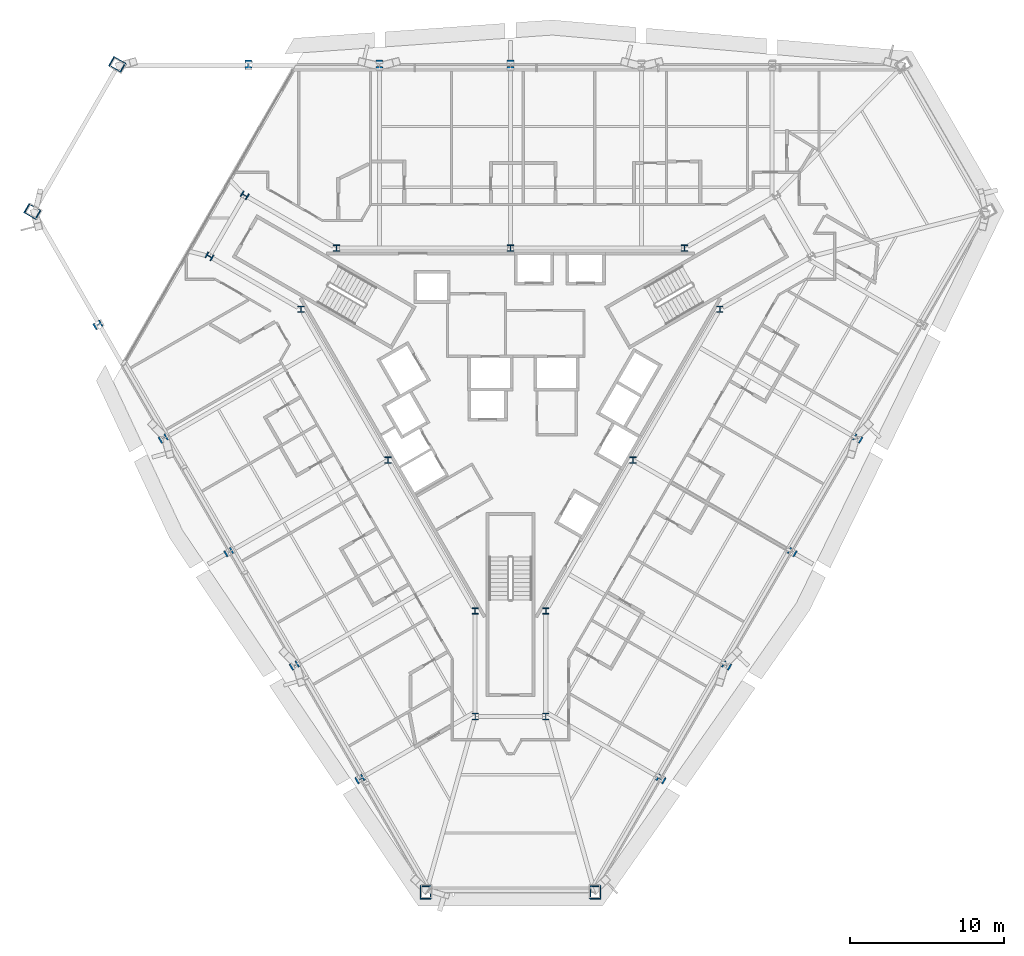
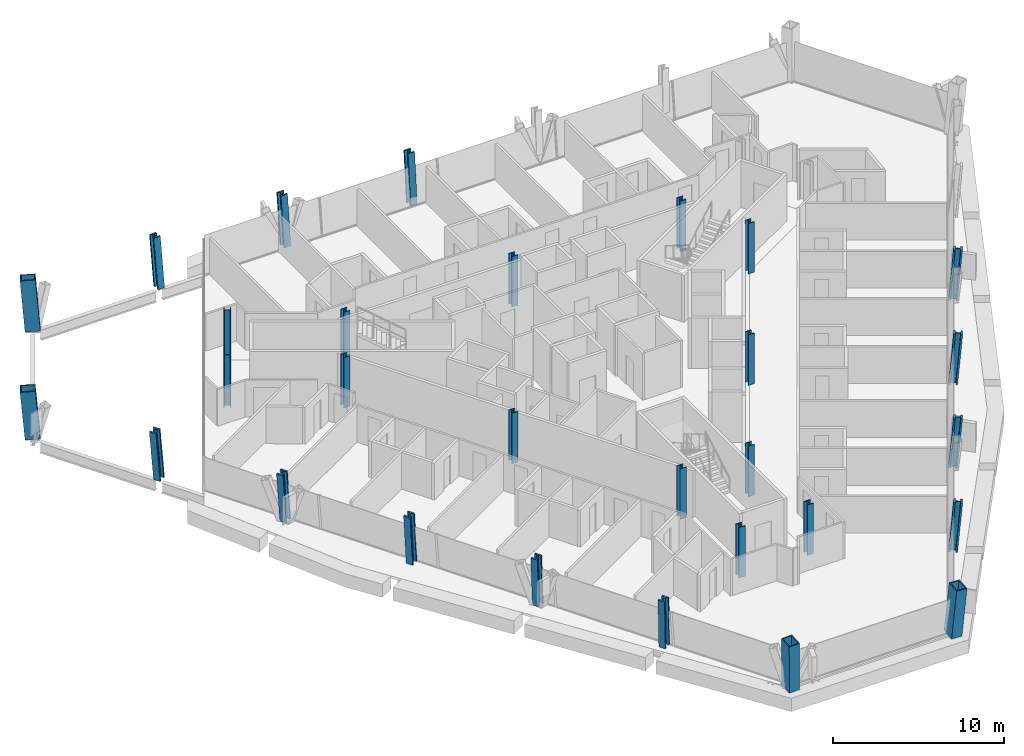
# One storey, part 1 of 17: 29 columns.
"""IFC4 building model written with IfcOpenShell, lengths in metres."""

from ifc_helpers import new_model, si_unit, direction, frame, origin, origin_2d, place, context, subcontext, project, spatial, hollow_rectangle, i_section, extrude, material, material_profile, profile_set, type_object, element, save


model = new_model("IFC4")

# Units and contexts
model_context = context("Model", 3, precision=1e-05, world=origin(), true_north=direction((0.0, 1.0)))
body_context = subcontext(model_context, "Body", "Model", "MODEL_VIEW")
ifc_project = project(units=[si_unit("LENGTHUNIT", "METRE"), si_unit("AREAUNIT", "SQUARE_METRE"), si_unit("VOLUMEUNIT", "CUBIC_METRE"), si_unit("PLANEANGLEUNIT", "RADIAN"), si_unit("MASSUNIT", "GRAM", prefix="KILO")], contexts=[model_context])

# Site, building, storey
site_placement = place(None, origin())
site = spatial("IfcSite", under=ifc_project, at=site_placement, CompositionType="ELEMENT")
building_placement = place(site_placement, origin())
building = spatial("IfcBuilding", under=site, at=building_placement, Name="Verrane Prism Tower", CompositionType="ELEMENT")
storey_placement = place(building_placement, frame((0.0, 0.0, 62.0)))
storey = spatial("IfcBuildingStorey", under=building, at=storey_placement, Name="L13", CompositionType="ELEMENT", Elevation=62.0)

# Columns
ifc_material_1 = material(Name="Steel A992", Category="steel")
ifc_material_profile_1 = material_profile(ifc_material_1, i_section(OverallWidth=0.419189453125, OverallDepth=0.45458984375, WebThickness=0.042236328125, FlangeThickness=0.067626953125, FilletRadius=0.01513671875, at=origin_2d()), Name="W14x370")
ifc_profile_set_1 = profile_set([ifc_material_profile_1], Name="Steel A992")
column_type_1 = type_object("IfcColumnType", Name="Core corner column W14x370", PredefinedType="COLUMN", material=ifc_profile_set_1)
for number, where, z_axis, x_axis, name in (
    (1, (-17.300048828125, 12.639892578125, 0.0), (0.0, 0.0, 1.0), (0.5, 0.866025403784, 0.0), "Core corner column CK-NWm L13"),
    (2, (-19.60009765625, 8.659912109375, 0.0), (0.0, 0.0, 1.0), (0.5, 0.866025403784, 0.0), "Core corner column CK-NWp L13"),
    (3, (-2.300048828125, -21.300048828125, 0.0), (0.0, 0.0, 1.0), (-1.0, 0.0, 0.0), "Core corner column CK-Sm L13"),
    (4, (2.300048828125, -21.300048828125, 0.0), (0.0, 0.0, 1.0), (-1.0, 0.0, 0.0), "Core corner column CK-Sp L13"),
):
    element("IfcColumn", number, at=place(storey_placement, frame(where, z_axis=z_axis, x_axis=x_axis)), inside=storey, type_object=column_type_1, Name=name, PredefinedType="COLUMN", context=body_context, shape_type="SweptSolid", body=[
        extrude(i_section(OverallWidth=0.419189453125, OverallDepth=0.45458984375, WebThickness=0.042236328125, FlangeThickness=0.067626953125, FilletRadius=0.01513671875, at=origin_2d()), origin(), (0.0, 0.0, 1.0), 3.60009765625),
    ])
ifc_material_2 = material(Name="Steel A992", Category="steel")
ifc_material_profile_2 = material_profile(ifc_material_2, i_section(OverallWidth=0.406494140625, OverallDepth=0.41650390625, WebThickness=0.030029296875, FlangeThickness=0.048095703125, FilletRadius=0.01513671875, at=origin_2d()), Name="W14x257")
ifc_profile_set_2 = profile_set([ifc_material_profile_2], Name="Steel A992")
column_type_2 = type_object("IfcColumnType", Name="Core side column W14x257", PredefinedType="COLUMN", material=ifc_profile_set_2)
for number, where, z_axis, x_axis, name in (
    (5, (13.6298828125, 5.219970703125, 0.0), (0.0, 0.0, 1.0), (1.0, 0.0, 0.0), "Core side column CC-NEm L13"),
    (6, (11.330078125, 9.199951171875, 0.0), (0.0, 0.0, 1.0), (1.0, 0.0, 0.0), "Core side column CC-NEp L13"),
    (7, (0.0, 9.199951171875, 0.0), (0.0, 0.0, 1.0), (1.0, 0.0, 0.0), "Core side column CC-N0 L13"),
    (8, (-11.330078125, 9.199951171875, 0.0), (0.0, 0.0, 1.0), (1.0, 0.0, 0.0), "Core side column CC-NWm L13"),
    (9, (-13.6298828125, 5.219970703125, 0.0), (0.0, 0.0, 1.0), (1.0, 0.0, 0.0), "Core side column CC-NWp L13"),
    (10, (-7.969970703125, -4.60009765625, 0.0), (0.0, 0.0, 1.0), (1.0, 0.0, 0.0), "Core side column CC-SW0 L13"),
    (11, (-2.300048828125, -14.419921875, 0.0), (0.0, 0.0, 1.0), (1.0, 0.0, 0.0), "Core side column CC-Sm L13"),
    (12, (2.300048828125, -14.419921875, 0.0), (0.0, 0.0, 1.0), (1.0, 0.0, 0.0), "Core side column CC-Sp L13"),
    (13, (7.969970703125, -4.60009765625, 0.0), (0.0, 0.0, 1.0), (1.0, 0.0, 0.0), "Core side column CC-SE0 L13"),
):
    element("IfcColumn", number, at=place(storey_placement, frame(where, z_axis=z_axis, x_axis=x_axis)), inside=storey, type_object=column_type_2, Name=name, PredefinedType="COLUMN", context=body_context, shape_type="SweptSolid", body=[
        extrude(i_section(OverallWidth=0.406494140625, OverallDepth=0.41650390625, WebThickness=0.030029296875, FlangeThickness=0.048095703125, FilletRadius=0.01513671875, at=origin_2d()), origin(), (0.0, 0.0, 1.0), 3.60009765625),
    ])
ifc_material_3 = material(Name="Steel A572 Grade 50", Category="steel")
ifc_material_profile_3 = material_profile(ifc_material_3, hollow_rectangle(XDim=0.699951171875, YDim=0.89990234375, WallThickness=0.06494140625, at=origin_2d()), Name="BOX 900x700x65")
ifc_profile_set_3 = profile_set([ifc_material_profile_3], Name="Steel A572 Grade 50")
column_type_3 = type_object("IfcColumnType", Name="Megacolumn BOX 900x700x65", PredefinedType="COLUMN", material=ifc_profile_set_3)
column_1_placement = place(storey_placement, frame((-25.552001953125, 21.0732421875, 0.0400390625), z_axis=(-0.046948393509, 0.082988189703, 0.995444025908), x_axis=(0.500028643682, 0.864649637283, -0.048501136518)))
element("IfcColumn", 14, at=column_1_placement, inside=storey, type_object=column_type_3, Name="Megacolumn MC-NW.a L13", PredefinedType="COLUMN", context=body_context, shape_type="SweptSolid", body=[
    extrude(hollow_rectangle(XDim=0.699951171875, YDim=0.89990234375, WallThickness=0.06494140625, at=origin_2d()), origin(), (0.0, 0.0, 1.0), 3.5361328125),
])
for number, where, z_axis, x_axis, name in (
    (15, (-31.02392578125, 11.590087890625, 0.0400390625), (-0.096783070485, 0.0, 0.995305499466), (0.49940885804, 0.865004332753, 0.048562298444), "Megacolumn MC-NW.b L13"),
    (16, (-5.471923828125, -32.663330078125, 0.0400390625), (-0.049772291919, -0.082976830634, 0.995307773774), (-0.998751483251, -0.000120897249, -0.049954580241), "Megacolumn MC-S.a L13"),
    (17, (5.471923828125, -32.663330078125, 0.0400390625), (0.049772291919, -0.082976830634, 0.995307773774), (-0.998751483251, 0.000120897249, 0.049954580241), "Megacolumn MC-S.b L13"),
):
    element("IfcColumn", number, at=place(storey_placement, frame(where, z_axis=z_axis, x_axis=x_axis)), inside=storey, type_object=column_type_3, Name=name, PredefinedType="COLUMN", context=body_context, shape_type="SweptSolid", body=[
        extrude(hollow_rectangle(XDim=0.699951171875, YDim=0.89990234375, WallThickness=0.06494140625, at=origin_2d()), origin(), (0.0, 0.0, 1.0), 3.53662109375),
    ])
ifc_material_4 = material(Name="Steel A992", Category="steel")
ifc_material_profile_4 = material_profile(ifc_material_4, i_section(OverallWidth=0.44189453125, OverallDepth=0.53076171875, WebThickness=0.06591796875, FlangeThickness=0.105712890625, FilletRadius=0.01513671875, at=origin_2d()), Name="W14x605")
ifc_profile_set_4 = profile_set([ifc_material_profile_4], Name="Steel A992")
column_type_4 = type_object("IfcColumnType", Name="Perimeter column W14x605", PredefinedType="COLUMN", material=ifc_profile_set_4)
column_2_placement = place(storey_placement, frame((0.0, 21.072021484375, 0.02490234375), z_axis=(0.0, 0.083062495034, 0.996544340167), x_axis=(1.0, 0.0, 0.0)))
element("IfcColumn", 18, at=column_2_placement, inside=storey, type_object=column_type_4, Name="Perimeter column PC-N3 L13", PredefinedType="COLUMN", context=body_context, shape_type="SweptSolid", body=[
    extrude(i_section(OverallWidth=0.44189453125, OverallDepth=0.53076171875, WebThickness=0.06591796875, FlangeThickness=0.105712890625, FilletRadius=0.01513671875, at=origin_2d()), origin(), (0.0, 0.0, 1.0), 3.562255859375),
])
column_3_placement = place(storey_placement, frame((-8.520263671875, 21.072021484375, 0.02490234375), z_axis=(-0.01384242279, 0.083054536739, 0.996448860333), x_axis=(0.999903524167, 5.38765e-07, 0.013890369225)))
element("IfcColumn", 19, at=column_3_placement, inside=storey, type_object=column_type_4, Name="Perimeter column PC-N4 L13", PredefinedType="COLUMN", context=body_context, shape_type="SweptSolid", body=[
    extrude(i_section(OverallWidth=0.44189453125, OverallDepth=0.53076171875, WebThickness=0.06591796875, FlangeThickness=0.105712890625, FilletRadius=0.01513671875, at=origin_2d()), origin(), (0.0, 0.0, 1.0), 3.562744140625),
])
column_4_placement = place(storey_placement, frame((-17.03076171875, 21.072021484375, 0.02490234375), z_axis=(-0.033220358645, 0.083016648819, 0.995994299075), x_axis=(0.999444605974, 0.000142602776, 0.033323554043)))
element("IfcColumn", 20, at=column_4_placement, inside=storey, type_object=column_type_4, Name="Perimeter column PC-N5 L13", PredefinedType="COLUMN", context=body_context, shape_type="SweptSolid", body=[
    extrude(i_section(OverallWidth=0.44189453125, OverallDepth=0.53076171875, WebThickness=0.06591796875, FlangeThickness=0.105712890625, FilletRadius=0.01513671875, at=origin_2d()), origin(), (0.0, 0.0, 1.0), 3.564208984375),
])
column_5_placement = place(storey_placement, frame((-26.76220703125, 4.2197265625, 0.02490234375), z_axis=(-0.088563028631, -0.013835832779, 0.99597447743), x_axis=(-0.499716358069, 0.86558252114, -0.032410809553)))
element("IfcColumn", 21, at=column_5_placement, inside=storey, type_object=column_type_4, Name="Perimeter column PC-SW1 L13", PredefinedType="COLUMN", context=body_context, shape_type="SweptSolid", body=[
    extrude(i_section(OverallWidth=0.44189453125, OverallDepth=0.53076171875, WebThickness=0.06591796875, FlangeThickness=0.105712890625, FilletRadius=0.01513671875, at=origin_2d()), origin(), (0.0, 0.0, 1.0), 3.564453125),
])
column_6_placement = place(storey_placement, frame((-22.511962890625, -3.16064453125, 0.02490234375), z_axis=(-0.077516125089, -0.027689225938, 0.996606520708), x_axis=(-0.499992893591, 0.865902493262, -0.014831672882)))
element("IfcColumn", 22, at=column_6_placement, inside=storey, type_object=column_type_4, Name="Perimeter column PC-SW2 L13", PredefinedType="COLUMN", context=body_context, shape_type="SweptSolid", body=[
    extrude(i_section(OverallWidth=0.44189453125, OverallDepth=0.53076171875, WebThickness=0.06591796875, FlangeThickness=0.105712890625, FilletRadius=0.01513671875, at=origin_2d()), origin(), (0.0, 0.0, 1.0), 3.562255859375),
])
column_7_placement = place(storey_placement, frame((-18.251708984375, -10.541015625, 0.02490234375), z_axis=(-0.072028126388, -0.041530965358, 0.996537569751), x_axis=(-0.499785583529, 0.866149161394, -2.670081e-05)))
element("IfcColumn", 23, at=column_7_placement, inside=storey, type_object=column_type_4, Name="Perimeter column PC-SW3 L13", PredefinedType="COLUMN", context=body_context, shape_type="SweptSolid", body=[
    extrude(i_section(OverallWidth=0.44189453125, OverallDepth=0.53076171875, WebThickness=0.06591796875, FlangeThickness=0.105712890625, FilletRadius=0.01513671875, at=origin_2d()), origin(), (0.0, 0.0, 1.0), 3.5625),
])
column_8_placement = place(storey_placement, frame((-13.99169921875, -17.911376953125, 0.02490234375), z_axis=(-0.063660519168, -0.055368890729, 0.996434455566), x_axis=(-0.500027144747, 0.865858806591, 0.01616729924)))
element("IfcColumn", 24, at=column_8_placement, inside=storey, type_object=column_type_4, Name="Perimeter column PC-SW4 L13", PredefinedType="COLUMN", context=body_context, shape_type="SweptSolid", body=[
    extrude(i_section(OverallWidth=0.44189453125, OverallDepth=0.53076171875, WebThickness=0.06591796875, FlangeThickness=0.105712890625, FilletRadius=0.01513671875, at=origin_2d()), origin(), (0.0, 0.0, 1.0), 3.562744140625),
])
for number, where, z_axis, x_axis, name in (
    (25, (-9.7314453125, -25.291748046875, 0.02490234375), (-0.055348484281, -0.069185605351, 0.996067215252), (-0.499738716775, 0.865571791701, 0.032352563542), "Perimeter column PC-SW5 L13"),
    (26, (9.7314453125, -25.291748046875, 0.02490234375), (0.055348484281, -0.069185605351, 0.996067215252), (-0.499738716775, -0.865571791701, -0.032352563542), "Perimeter column PC-SE1 L13"),
):
    element("IfcColumn", number, at=place(storey_placement, frame(where, z_axis=z_axis, x_axis=x_axis)), inside=storey, type_object=column_type_4, Name=name, PredefinedType="COLUMN", context=body_context, shape_type="SweptSolid", body=[
        extrude(i_section(OverallWidth=0.44189453125, OverallDepth=0.53076171875, WebThickness=0.06591796875, FlangeThickness=0.105712890625, FilletRadius=0.01513671875, at=origin_2d()), origin(), (0.0, 0.0, 1.0), 3.56396484375),
    ])
column_9_placement = place(storey_placement, frame((13.99169921875, -17.911376953125, 0.02490234375), z_axis=(0.063660519168, -0.055368890729, 0.996434455566), x_axis=(-0.500027144747, -0.865858806591, -0.01616729924)))
element("IfcColumn", 27, at=column_9_placement, inside=storey, type_object=column_type_4, Name="Perimeter column PC-SE2 L13", PredefinedType="COLUMN", context=body_context, shape_type="SweptSolid", body=[
    extrude(i_section(OverallWidth=0.44189453125, OverallDepth=0.53076171875, WebThickness=0.06591796875, FlangeThickness=0.105712890625, FilletRadius=0.01513671875, at=origin_2d()), origin(), (0.0, 0.0, 1.0), 3.562744140625),
])
column_10_placement = place(storey_placement, frame((18.251708984375, -10.541015625, 0.02490234375), z_axis=(0.072028126388, -0.041530965358, 0.996537569751), x_axis=(-0.499785583529, -0.866149161394, 2.670081e-05)))
element("IfcColumn", 28, at=column_10_placement, inside=storey, type_object=column_type_4, Name="Perimeter column PC-SE3 L13", PredefinedType="COLUMN", context=body_context, shape_type="SweptSolid", body=[
    extrude(i_section(OverallWidth=0.44189453125, OverallDepth=0.53076171875, WebThickness=0.06591796875, FlangeThickness=0.105712890625, FilletRadius=0.01513671875, at=origin_2d()), origin(), (0.0, 0.0, 1.0), 3.5625),
])
column_11_placement = place(storey_placement, frame((22.511962890625, -3.16064453125, 0.02490234375), z_axis=(0.077516125089, -0.027689225938, 0.996606520708), x_axis=(-0.499992893591, -0.865902493262, 0.014831672882)))
element("IfcColumn", 29, at=column_11_placement, inside=storey, type_object=column_type_4, Name="Perimeter column PC-SE4 L13", PredefinedType="COLUMN", context=body_context, shape_type="SweptSolid", body=[
    extrude(i_section(OverallWidth=0.44189453125, OverallDepth=0.53076171875, WebThickness=0.06591796875, FlangeThickness=0.105712890625, FilletRadius=0.01513671875, at=origin_2d()), origin(), (0.0, 0.0, 1.0), 3.562255859375),
])

save(model, "model.ifc")
